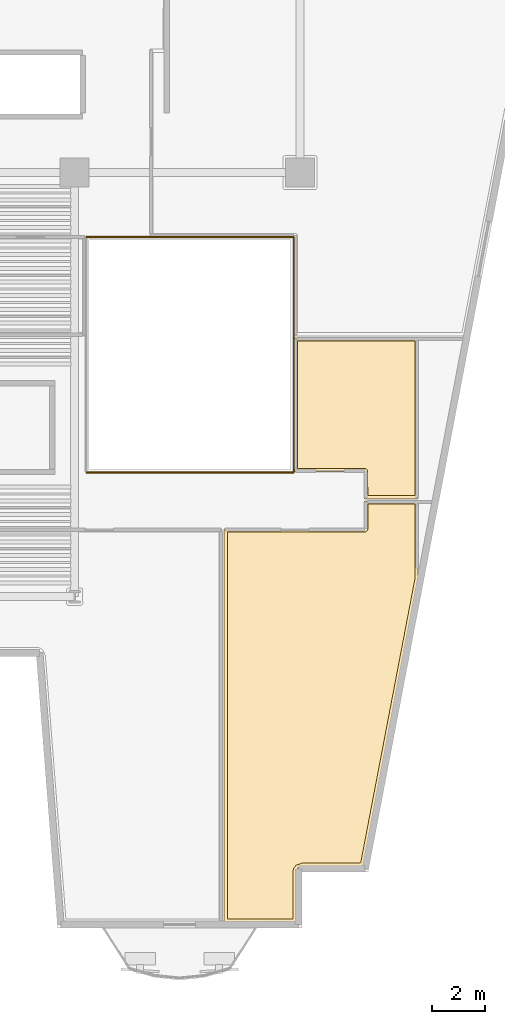
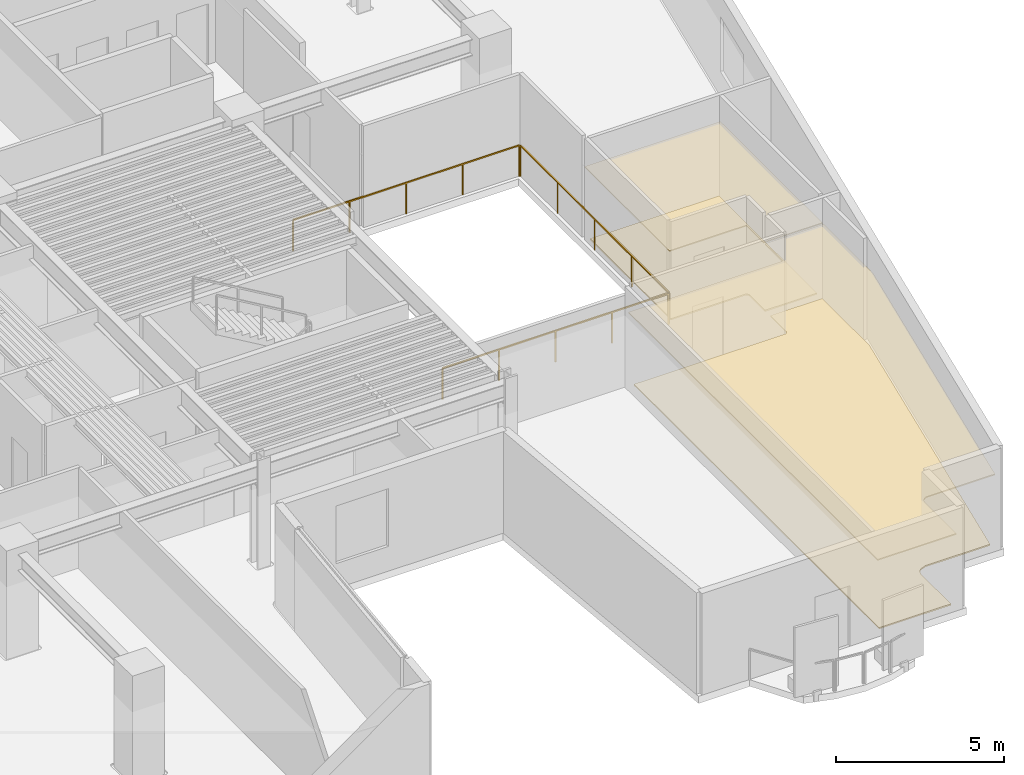
# One storey, part 11 of 13: 4 coverings, 3 railings.
"""IFC4 building model written with IfcOpenShell, lengths in metres."""

from ifc_helpers import new_model, si_unit, direction, frame, origin, origin_2d, place, context, subcontext, project, spatial, polyline, rectangle, outline, extrude, material, layer, layer_set, type_object, element, save


model = new_model("IFC4")

# Units and contexts
model_context = context("Model", 3, precision=1e-05, world=origin(), true_north=direction((0.0, 1.0)))
body_context = subcontext(model_context, "Body", "Model", "MODEL_VIEW")
ifc_project = project(units=[si_unit("LENGTHUNIT", "METRE"), si_unit("AREAUNIT", "SQUARE_METRE"), si_unit("VOLUMEUNIT", "CUBIC_METRE"), si_unit("PLANEANGLEUNIT", "RADIAN"), si_unit("MASSUNIT", "GRAM", prefix="KILO")], contexts=[model_context])

# Site, building, storey
site_placement = place(None, origin())
site = spatial("IfcSite", under=ifc_project, at=site_placement, CompositionType="ELEMENT")
building_placement = place(site_placement, origin())
building = spatial("IfcBuilding", under=site, at=building_placement, Name="Caeloran Harvest Quay", CompositionType="ELEMENT")
storey_placement = place(building_placement, frame((0.0, 0.0, 166.699951171875)))
storey = spatial("IfcBuildingStorey", under=building, at=storey_placement, Name="L39", CompositionType="ELEMENT", Elevation=166.699951171875)

# Coverings
ifc_material_1 = material(Name="Perforated Mineral-Fibre Acoustic Ceiling Tile", Category="ceiling")
ifc_layer_1 = layer(ifc_material_1, 0.0400390625, Name="Perforated Mineral-Fibre Acoustic Ceiling Tile")
ifc_layer_set_1 = layer_set([ifc_layer_1], Name="Perforated Mineral-Fibre Acoustic Ceiling Tile")
covering_type_1 = type_object("IfcCoveringType", Name="COV-CEILING-ACOUSTIC", PredefinedType="CEILING", material=ifc_layer_set_1)
covering_1_placement = place(storey_placement, frame((0.0, 0.0, 2.60009765625)))
element("IfcCovering", 1, at=covering_1_placement, inside=storey, type_object=covering_type_1, Name="Commodities Briefing Boardroom Acoustic Ceiling", PredefinedType="CEILING", context=body_context, shape_type="SweptSolid", body=[
    extrude(outline(polyline([(44.93994140625, 17.56005859375), (44.93994140625, 18.610107421875), (46.9599609375, 18.610107421875), (46.9599609375, 15.6640625), (44.888916015625, 4.820068359375), (42.571044921875, 4.820068359375), (42.506103515625, 4.810546875), (42.430419921875, 4.77001953125), (42.36669921875, 4.68408203125), (42.35009765625, 4.59912109375), (42.35009765625, 2.719970703125), (39.639892578125, 2.719970703125), (39.639892578125, 17.56005859375), (44.93994140625, 17.56005859375)])), origin(), (0.0, 0.0, 1.0), 0.0400390625),
])
covering_2_placement = place(storey_placement, frame((0.0, 0.0, 2.60009765625)))
element("IfcCovering", 2, at=covering_2_placement, inside=storey, type_object=covering_type_1, Name="Satellite Archive Library Lounge Acoustic Ceiling", PredefinedType="CEILING", context=body_context, shape_type="SweptSolid", body=[
    extrude(outline(polyline([(44.93994140625, 19.7099609375), (42.2900390625, 19.7099609375), (42.2900390625, 24.760009765625), (46.9599609375, 24.760009765625), (46.9599609375, 18.68994140625), (44.93994140625, 18.68994140625), (44.93994140625, 19.7099609375)])), origin(), (0.0, 0.0, 1.0), 0.0400390625),
])
ifc_material_2 = material(Name="Calcium-Sulphate Raised Access Floor and Terrazzo Finish", Category="flooring")
ifc_layer_2 = layer(ifc_material_2, 0.050048828125, Name="Calcium-Sulphate Raised Access Floor and Terrazzo Finish")
ifc_layer_set_2 = layer_set([ifc_layer_2], Name="Calcium-Sulphate Raised Access Floor and Terrazzo Finish")
covering_type_2 = type_object("IfcCoveringType", Name="COV-FLOOR-RAISED", PredefinedType="FLOORING", material=ifc_layer_set_2)
covering_3_placement = place(storey_placement, origin())
element("IfcCovering", 3, at=covering_3_placement, inside=storey, type_object=covering_type_2, Name="Commodities Briefing Boardroom Raised Finish Flooring", PredefinedType="FLOORING", context=body_context, shape_type="SweptSolid", body=[
    extrude(outline(polyline([(44.97802734375, 17.443603515625), (45.037353515625, 17.4833984375), (45.059814453125, 17.543212890625), (45.06005859375, 18.489990234375), (46.840087890625, 18.489990234375), (46.840087890625, 15.67529296875), (44.789794921875, 4.93994140625), (42.566162109375, 4.93994140625), (42.357421875, 4.865234375), (42.268310546875, 4.7568359375), (42.231201171875, 4.62939453125), (42.22998046875, 2.840087890625), (39.760009765625, 2.840087890625), (39.760009765625, 17.43994140625), (44.97802734375, 17.443603515625)])), origin(), (0.0, 0.0, 1.0), 0.050048828125),
])
covering_4_placement = place(storey_placement, origin())
element("IfcCovering", 4, at=covering_4_placement, inside=storey, type_object=covering_type_2, Name="Satellite Archive Library Lounge Raised Finish Flooring", PredefinedType="FLOORING", context=body_context, shape_type="SweptSolid", body=[
    extrude(outline(polyline([(45.056396484375, 19.748046875), (45.0166015625, 19.807373046875), (44.953857421875, 19.829833984375), (42.409912109375, 19.830078125), (42.409912109375, 24.639892578125), (46.840087890625, 24.639892578125), (46.840087890625, 18.81005859375), (45.06005859375, 18.81005859375), (45.056396484375, 19.748046875)])), origin(), (0.0, 0.0, 1.0), 0.050048828125),
])

# Railings
ifc_material_3 = material(Name="Powder-Coated Steel Post and Laminated Glass Guardrail", Category="steel")
ifc_layer_3 = layer(ifc_material_3, 0.06005859375, Name="Powder-Coated Steel Post and Laminated Glass Guardrail")
ifc_layer_set_3 = layer_set([ifc_layer_3], Name="Powder-Coated Steel Post and Laminated Glass Guardrail")
railing_type = type_object("IfcRailingType", Name="GUARD-ATRIUM-1150", PredefinedType="GUARDRAIL", material=ifc_layer_set_3)
railing_1_placement = place(storey_placement, frame((34.4619140625, 19.679931640625, 0.0)))
element("IfcRailing", 5, at=railing_1_placement, inside=storey, type_object=railing_type, Name="L39 East Botanical Lightwell Guardrail Seg 1", PredefinedType="GUARDRAIL", context=body_context, shape_type="SweptSolid", body=[
    extrude(rectangle(XDim=0.048095703125, YDim=0.048095703125, at=origin_2d()), frame((0.0, 0.0, 1.1259765625), z_axis=(1.0, 0.0, 0.0), x_axis=(0.0, 1.0, 0.0)), (0.0, 0.0, 1.0), 7.776123046875),
    extrude(rectangle(XDim=0.0419921875, YDim=0.0419921875, at=origin_2d()), origin(), (0.0, 0.0, 1.0), 1.101806640625),
    extrude(rectangle(XDim=0.0419921875, YDim=0.0419921875, at=origin_2d()), frame((1.944091796875, 0.0, 0.0)), (0.0, 0.0, 1.0), 1.101806640625),
    extrude(rectangle(XDim=0.0419921875, YDim=0.0419921875, at=origin_2d()), frame((3.88818359375, 0.0, 0.0)), (0.0, 0.0, 1.0), 1.101806640625),
    extrude(rectangle(XDim=0.0419921875, YDim=0.0419921875, at=origin_2d()), frame((5.83203125, 0.0, 0.0)), (0.0, 0.0, 1.0), 1.101806640625),
    extrude(rectangle(XDim=0.0419921875, YDim=0.0419921875, at=origin_2d()), frame((7.776123046875, 0.0, 0.0)), (0.0, 0.0, 1.0), 1.101806640625),
])
railing_2_placement = place(storey_placement, frame((42.27001953125, 19.7119140625, 0.0)))
element("IfcRailing", 6, at=railing_2_placement, inside=storey, type_object=railing_type, Name="L39 East Botanical Lightwell Guardrail Seg 2", PredefinedType="GUARDRAIL", context=body_context, shape_type="SweptSolid", body=[
    extrude(rectangle(XDim=0.048095703125, YDim=0.048095703125, at=origin_2d()), frame((0.0, 0.0, 1.1259765625), z_axis=(0.0, 1.0, 0.0), x_axis=(-1.0, 0.0, 0.0)), (0.0, 0.0, 1.0), 8.826171875),
    extrude(rectangle(XDim=0.0419921875, YDim=0.0419921875, at=origin_2d()), origin(), (0.0, 0.0, 1.0), 1.101806640625),
    extrude(rectangle(XDim=0.0419921875, YDim=0.0419921875, at=origin_2d()), frame((0.0, 2.20654296875, 0.0)), (0.0, 0.0, 1.0), 1.101806640625),
    extrude(rectangle(XDim=0.0419921875, YDim=0.0419921875, at=origin_2d()), frame((0.0, 4.4130859375, 0.0)), (0.0, 0.0, 1.0), 1.101806640625),
    extrude(rectangle(XDim=0.0419921875, YDim=0.0419921875, at=origin_2d()), frame((0.0, 6.61962890625, 0.0)), (0.0, 0.0, 1.0), 1.101806640625),
    extrude(rectangle(XDim=0.0419921875, YDim=0.0419921875, at=origin_2d()), frame((0.0, 8.826171875, 0.0)), (0.0, 0.0, 1.0), 1.101806640625),
])
railing_3_placement = place(storey_placement, frame((42.238037109375, 28.570068359375, 0.0)))
element("IfcRailing", 7, at=railing_3_placement, inside=storey, type_object=railing_type, Name="L39 East Botanical Lightwell Guardrail Seg 3", PredefinedType="GUARDRAIL", context=body_context, shape_type="SweptSolid", body=[
    extrude(rectangle(XDim=0.048095703125, YDim=0.048095703125, at=origin_2d()), frame((0.0, 0.0, 1.1259765625), z_axis=(-1.0, 0.0, 0.0), x_axis=(0.0, -1.0, 0.0)), (0.0, 0.0, 1.0), 7.776123046875),
    extrude(rectangle(XDim=0.0419921875, YDim=0.0419921875, at=origin_2d()), origin(), (0.0, 0.0, 1.0), 1.101806640625),
    extrude(rectangle(XDim=0.0419921875, YDim=0.0419921875, at=origin_2d()), frame((-1.944091796875, 0.0, 0.0)), (0.0, 0.0, 1.0), 1.101806640625),
    extrude(rectangle(XDim=0.0419921875, YDim=0.0419921875, at=origin_2d()), frame((-3.88818359375, 0.0, 0.0)), (0.0, 0.0, 1.0), 1.101806640625),
    extrude(rectangle(XDim=0.0419921875, YDim=0.0419921875, at=origin_2d()), frame((-5.83203125, 0.0, 0.0)), (0.0, 0.0, 1.0), 1.101806640625),
    extrude(rectangle(XDim=0.0419921875, YDim=0.0419921875, at=origin_2d()), frame((-7.776123046875, 0.0, 0.0)), (0.0, 0.0, 1.0), 1.101806640625),
])

save(model, "model.ifc")
